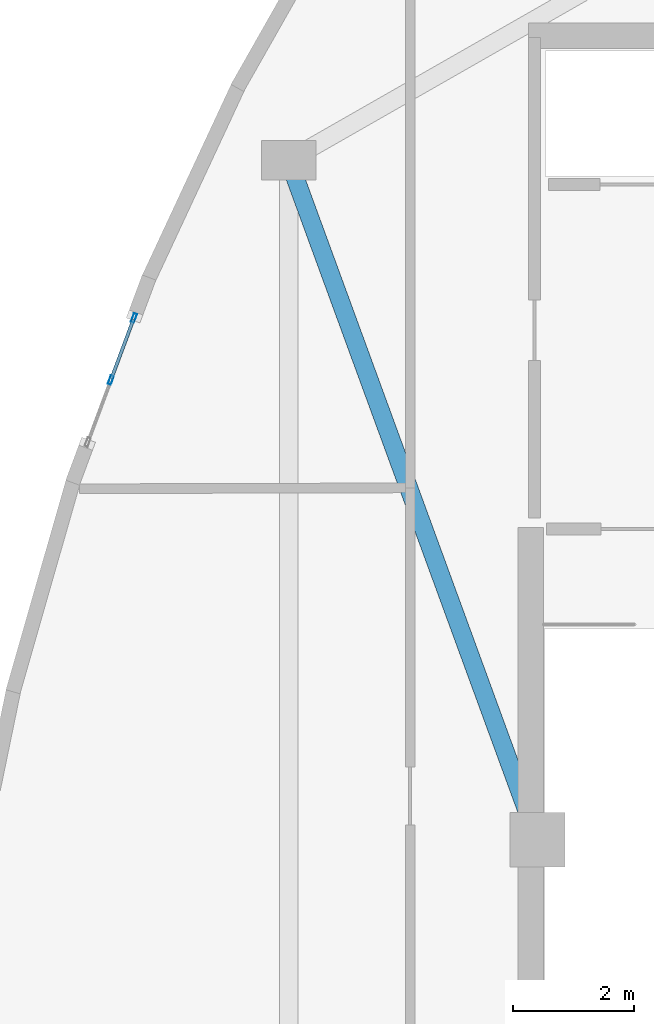
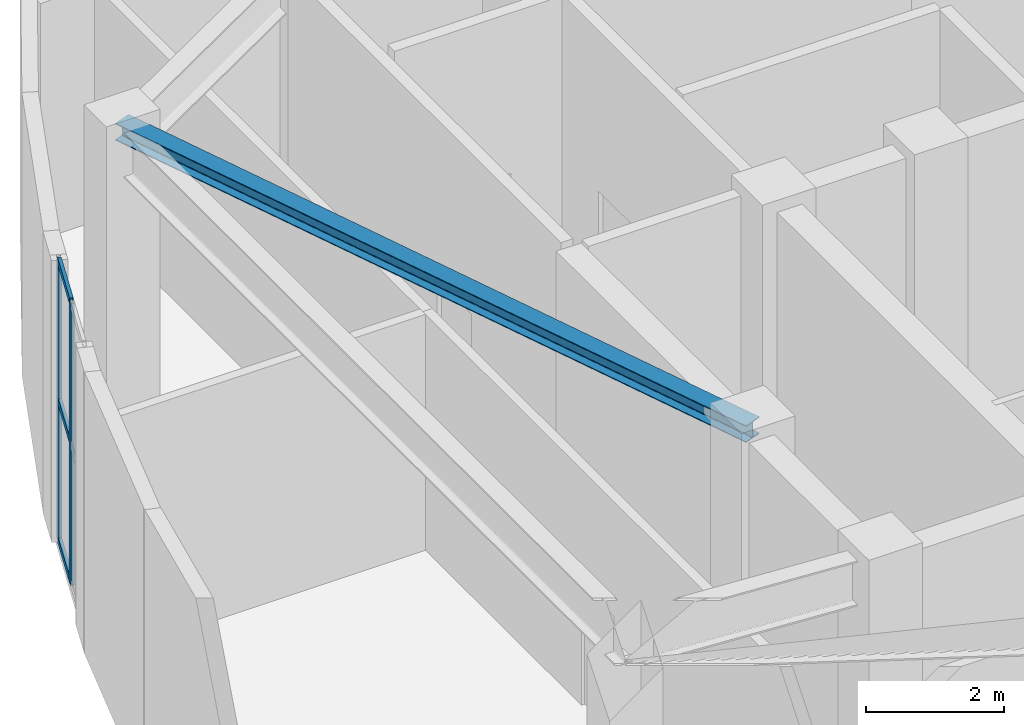
# One storey, part 6 of 12: 5 members, 1 beam, 1 element without a shape of its own.
"""IFC4 building model written with IfcOpenShell, lengths in metres."""

from ifc_helpers import new_model, si_unit, direction, frame, origin, origin_2d, place, context, subcontext, project, spatial, hollow_rectangle, i_section, extrude, material, layer, layer_set, material_profile, profile_set, type_object, element, aggregate, save


model = new_model("IFC4")

# Units and contexts
model_context = context("Model", 3, precision=1e-05, world=origin(), true_north=direction((0.0, 1.0)))
body_context = subcontext(model_context, "Body", "Model", "MODEL_VIEW")
ifc_project = project(units=[si_unit("LENGTHUNIT", "METRE"), si_unit("AREAUNIT", "SQUARE_METRE"), si_unit("VOLUMEUNIT", "CUBIC_METRE"), si_unit("PLANEANGLEUNIT", "RADIAN"), si_unit("MASSUNIT", "GRAM", prefix="KILO")], contexts=[model_context])

# Site, building, storey
site_placement = place(None, origin())
site = spatial("IfcSite", under=ifc_project, at=site_placement, CompositionType="ELEMENT")
building_placement = place(site_placement, origin())
building = spatial("IfcBuilding", under=site, at=building_placement, Name="Miruveldt Soraemaru", CompositionType="ELEMENT")
storey_placement = place(building_placement, frame((0.0, 0.0, 312.800048828125)))
storey = spatial("IfcBuildingStorey", under=building, at=storey_placement, Name="L82", CompositionType="ELEMENT", Elevation=312.800048828125)

# Beam
ifc_material_1 = material(Name="Steel SM355 (355 MPa)", Category="steel")
ifc_material_profile_1 = material_profile(ifc_material_1, i_section(OverallWidth=0.300048828125, OverallDepth=0.300048828125, WebThickness=0.010009765625, FlangeThickness=0.014892578125, FilletRadius=0.01806640625, at=origin_2d()), Name="Steel SM355 (355 MPa)", Category="steel")
ifc_profile_set_1 = profile_set([ifc_material_profile_1], Name="Steel SM355 (355 MPa)")
beam_type = type_object("IfcBeamType", Name="BM-LNT-H300", PredefinedType="LINTEL", material=ifc_profile_set_1)
beam_placement = place(storey_placement, frame((31.39990234375, 50.39990234375, 4.83984375), z_axis=(0.343770424598, -0.939053723262, 0.0), x_axis=(0.939053723262, 0.343770424598, 0.0)))
element("IfcBeam", 1, at=beam_placement, inside=storey, type_object=beam_type, Name="L82 West Lobby Lintel", PredefinedType="LINTEL", context=body_context, shape_type="SweptSolid", body=[
    extrude(i_section(OverallWidth=0.300048828125, OverallDepth=0.300048828125, WebThickness=0.010009765625, FlangeThickness=0.014892578125, FilletRadius=0.01806640625, at=origin_2d()), origin(), (0.0, 0.0, 1.0), 11.9267578125),
])

# Curtain wall, members
ifc_material_2 = material(Name="Anodised aluminium EN AW-6063 T6", Category="aluminium")
ifc_layer = layer(ifc_material_2, 0.14990234375, Name="Anodised aluminium EN AW-6063 T6", Category="aluminium")
ifc_layer_set = layer_set([ifc_layer], Name="Anodised aluminium EN AW-6063 T6")
curtain_wall_type = type_object("IfcCurtainWallType", Name="CW-SYS-6", PredefinedType="USERDEFINED", material=ifc_layer_set)
curtain_wall_placement = place(storey_placement, origin())
curtain_wall = element("IfcCurtainWall", 2, at=curtain_wall_placement, inside=storey, type_object=curtain_wall_type, Name="L82 Curtain Wall Bay 12", ObjectType="UNITISED GLAZING", PredefinedType="USERDEFINED")
ifc_material_profile_2 = material_profile(ifc_material_2, hollow_rectangle(XDim=0.054931640625, YDim=0.14990234375, WallThickness=0.00390625, at=origin_2d()), Name="Anodised aluminium EN AW-6063 T6", Category="aluminium")
ifc_profile_set_2 = profile_set([ifc_material_profile_2], Name="Anodised aluminium EN AW-6063 T6")
member_type_1 = type_object("IfcMemberType", Name="CWM-6", PredefinedType="MULLION", material=ifc_profile_set_2)
member_1_placement = place(storey_placement, frame((28.84765625, 47.7998046875, 0.0), z_axis=(0.0, 0.0, 1.0), x_axis=(0.937123363704, -0.348998282518, 0.0)))
member_1 = element("IfcMember", 3, at=member_1_placement, type_object=member_type_1, Name="CW-6 mullion 1", PredefinedType="MULLION", context=body_context, shape_type="SweptSolid", body=[
    extrude(hollow_rectangle(XDim=0.054931640625, YDim=0.14990234375, WallThickness=0.00390625, at=origin_2d()), origin(), (0.0, 0.0, 1.0), 4.989990234375),
])
member_2_placement = place(storey_placement, frame((28.466552734375, 46.7763671875, 0.0), z_axis=(0.0, 0.0, 1.0), x_axis=(0.937123363704, -0.348998282518, 0.0)))
member_2 = element("IfcMember", 4, at=member_2_placement, type_object=member_type_1, Name="CW-6 mullion 2", PredefinedType="MULLION", context=body_context, shape_type="SweptSolid", body=[
    extrude(hollow_rectangle(XDim=0.054931640625, YDim=0.14990234375, WallThickness=0.00390625, at=origin_2d()), origin(), (0.0, 0.0, 1.0), 4.989990234375),
])
ifc_material_profile_3 = material_profile(ifc_material_2, hollow_rectangle(XDim=0.054931640625, YDim=0.1201171875, WallThickness=0.00390625, at=origin_2d()), Name="Anodised aluminium EN AW-6063 T6", Category="aluminium")
ifc_profile_set_3 = profile_set([ifc_material_profile_3], Name="Anodised aluminium EN AW-6063 T6")
member_type_2 = type_object("IfcMemberType", Name="CWT-6", PredefinedType="USERDEFINED", material=ifc_profile_set_3)
member_3_placement = place(storey_placement, frame((28.838134765625, 47.77392578125, 0.02734375), z_axis=(-0.348954958457, -0.93713949707, 0.0), x_axis=(0.93713949707, -0.348954958457, 0.0)))
member_3 = element("IfcMember", 5, at=member_3_placement, type_object=member_type_2, Name="CW-6 transom 1.1", ObjectType="TRANSOM", PredefinedType="USERDEFINED", context=body_context, shape_type="SweptSolid", body=[
    extrude(hollow_rectangle(XDim=0.054931640625, YDim=0.1201171875, WallThickness=0.00390625, at=origin_2d()), origin(), (0.0, 0.0, 1.0), 1.036865234375),
])
member_4_placement = place(storey_placement, frame((28.838134765625, 47.77392578125, 2.494873046875), z_axis=(-0.348954958457, -0.93713949707, 0.0), x_axis=(0.93713949707, -0.348954958457, 0.0)))
member_4 = element("IfcMember", 6, at=member_4_placement, type_object=member_type_2, Name="CW-6 transom 1.2", ObjectType="TRANSOM", PredefinedType="USERDEFINED", context=body_context, shape_type="SweptSolid", body=[
    extrude(hollow_rectangle(XDim=0.054931640625, YDim=0.1201171875, WallThickness=0.00390625, at=origin_2d()), origin(), (0.0, 0.0, 1.0), 1.036865234375),
])
member_5_placement = place(storey_placement, frame((28.838134765625, 47.77392578125, 4.96240234375), z_axis=(-0.348954958457, -0.93713949707, 0.0), x_axis=(0.93713949707, -0.348954958457, 0.0)))
member_5 = element("IfcMember", 7, at=member_5_placement, type_object=member_type_2, Name="CW-6 transom 1.3", ObjectType="TRANSOM", PredefinedType="USERDEFINED", context=body_context, shape_type="SweptSolid", body=[
    extrude(hollow_rectangle(XDim=0.054931640625, YDim=0.1201171875, WallThickness=0.00390625, at=origin_2d()), origin(), (0.0, 0.0, 1.0), 1.036865234375),
])
aggregate(curtain_wall, [member_1, member_2, member_3, member_4, member_5])

save(model, "model.ifc")
